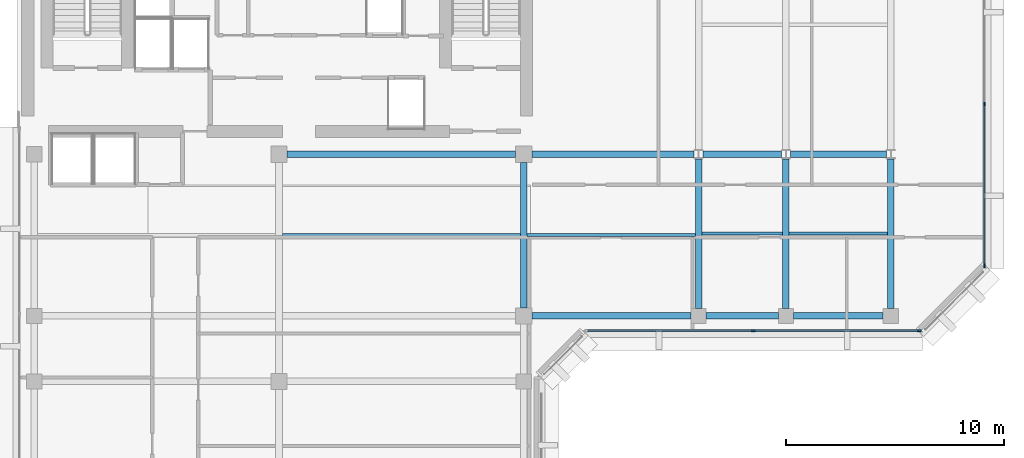
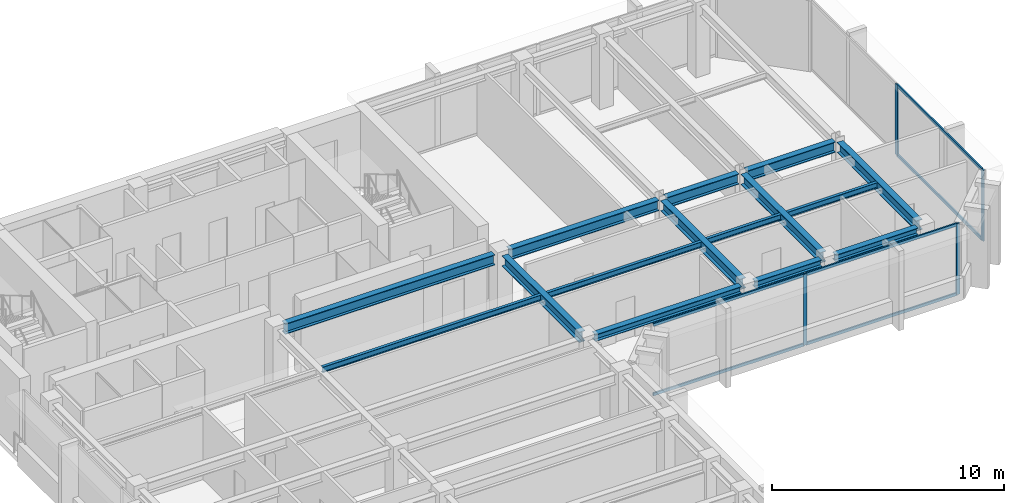
# One storey, part 3 of 12: 15 beams, 10 members, 2 elements without a shape of their own.
"""IFC4 building model written with IfcOpenShell, lengths in metres."""

from ifc_helpers import new_model, si_unit, direction, frame, origin, origin_2d, place, context, subcontext, project, spatial, rectangle, i_section, extrude, material, layer, layer_set, material_profile, profile_set, type_object, element, aggregate, save


model = new_model("IFC4")

# Units and contexts
model_context = context("Model", 3, precision=1e-05, world=origin(), true_north=direction((0.0, 1.0)))
body_context = subcontext(model_context, "Body", "Model", "MODEL_VIEW")
ifc_project = project(units=[si_unit("LENGTHUNIT", "METRE"), si_unit("AREAUNIT", "SQUARE_METRE"), si_unit("VOLUMEUNIT", "CUBIC_METRE"), si_unit("PLANEANGLEUNIT", "RADIAN"), si_unit("MASSUNIT", "GRAM", prefix="KILO")], contexts=[model_context])

# Site, building, storey
site_placement = place(None, origin())
site = spatial("IfcSite", under=ifc_project, at=site_placement, CompositionType="ELEMENT")
building_placement = place(site_placement, origin())
building = spatial("IfcBuilding", under=site, at=building_placement, Name="Kefirva Bronze Tower", CompositionType="ELEMENT")
storey_placement = place(building_placement, frame((0.0, 0.0, 296.010009765625)))
storey = spatial("IfcBuildingStorey", under=building, at=storey_placement, Name="L72", CompositionType="ELEMENT", Elevation=296.010009765625)

# Curtain wall, members
ifc_material_1 = material(Name="Bronze anodised aluminium", Category="aluminium")
ifc_layer = layer(ifc_material_1, 0.179931640625, Name="Bronze anodised aluminium")
ifc_layer_set = layer_set([ifc_layer], Name="Bronze anodised aluminium")
curtain_wall_type = type_object("IfcCurtainWallType", Name="Unitised Bronze Ribbon Curtain Wall Zone 4", PredefinedType="USERDEFINED", material=ifc_layer_set)
curtain_wall_1_placement = place(storey_placement, origin())
curtain_wall_1 = element("IfcCurtainWall", 1, at=curtain_wall_1_placement, inside=storey, type_object=curtain_wall_type, Name="L72 Curtain Wall 1", ObjectType="UNITISED CURTAIN WALL", PredefinedType="USERDEFINED")
ifc_material_profile_1 = material_profile(ifc_material_1, rectangle(XDim=0.074951171875, YDim=0.179931640625, at=origin_2d()), Name="ALU 75x180")
ifc_profile_set_1 = profile_set([ifc_material_profile_1], Name="Bronze anodised aluminium")
member_type_1 = type_object("IfcMemberType", Name="Bronze Mullion 75x180", PredefinedType="MULLION", material=ifc_profile_set_1)
member_1_placement = place(storey_placement, frame((33.699951171875, 25.1201171875, 0.0), z_axis=(0.0, 0.0, 1.0), x_axis=(0.0, 1.0, 0.0)))
member_1 = element("IfcMember", 2, at=member_1_placement, type_object=member_type_1, Name="CW-04 mullion 2", PredefinedType="MULLION", context=body_context, shape_type="SweptSolid", body=[
    extrude(rectangle(XDim=0.074951171875, YDim=0.179931640625, at=origin_2d()), origin(), (0.0, 0.0, 1.0), 3.739990234375),
])
member_2_placement = place(storey_placement, frame((41.3076171875, 25.1201171875, 0.0), z_axis=(0.0, 0.0, 1.0), x_axis=(0.0, 1.0, 0.0)))
member_2 = element("IfcMember", 3, at=member_2_placement, type_object=member_type_1, Name="CW-04 mullion 3", PredefinedType="MULLION", context=body_context, shape_type="SweptSolid", body=[
    extrude(rectangle(XDim=0.074951171875, YDim=0.179931640625, at=origin_2d()), origin(), (0.0, 0.0, 1.0), 3.739990234375),
])

curtain_wall_2_placement = place(storey_placement, origin())
curtain_wall_2 = element("IfcCurtainWall", 4, at=curtain_wall_2_placement, inside=storey, type_object=curtain_wall_type, Name="L72 Curtain Wall 2", ObjectType="UNITISED CURTAIN WALL", PredefinedType="USERDEFINED")
member_3_placement = place(storey_placement, frame((44.280029296875, 28.092529296875, 0.0), z_axis=(0.0, 0.0, 1.0), x_axis=(-1.0, 0.0, 0.0)))
member_3 = element("IfcMember", 5, at=member_3_placement, type_object=member_type_1, Name="CW-04 mullion 1", PredefinedType="MULLION", context=body_context, shape_type="SweptSolid", body=[
    extrude(rectangle(XDim=0.074951171875, YDim=0.179931640625, at=origin_2d()), origin(), (0.0, 0.0, 1.0), 3.739990234375),
])
member_4_placement = place(storey_placement, frame((44.280029296875, 35.5, 0.0), z_axis=(0.0, 0.0, 1.0), x_axis=(-1.0, 0.0, 0.0)))
member_4 = element("IfcMember", 6, at=member_4_placement, type_object=member_type_1, Name="CW-04 mullion 2", PredefinedType="MULLION", context=body_context, shape_type="SweptSolid", body=[
    extrude(rectangle(XDim=0.074951171875, YDim=0.179931640625, at=origin_2d()), origin(), (0.0, 0.0, 1.0), 3.739990234375),
])

# Member
ifc_material_profile_2 = material_profile(ifc_material_1, rectangle(XDim=0.074951171875, YDim=0.14990234375, at=origin_2d()), Name="ALU 75x150")
ifc_profile_set_2 = profile_set([ifc_material_profile_2], Name="Bronze anodised aluminium")
member_type_2 = type_object("IfcMemberType", Name="Bronze Transom 75x150", PredefinedType="USERDEFINED", material=ifc_profile_set_2)
member_5_placement = place(storey_placement, frame((26.1298828125, 25.1201171875, 0.03759765625), z_axis=(1.0, 0.0, 0.0), x_axis=(0.0, 1.0, 0.0)))
member_5 = element("IfcMember", 7, at=member_5_placement, type_object=member_type_2, Name="CW-04 transom 1.1", ObjectType="TRANSOM", PredefinedType="USERDEFINED", context=body_context, shape_type="SweptSolid", body=[
    extrude(rectangle(XDim=0.074951171875, YDim=0.14990234375, at=origin_2d()), origin(), (0.0, 0.0, 1.0), 7.53271484375),
])

member_6_placement = place(storey_placement, frame((26.1298828125, 25.1201171875, 3.702392578125), z_axis=(1.0, 0.0, 0.0), x_axis=(0.0, 1.0, 0.0)))
member_6 = element("IfcMember", 8, at=member_6_placement, type_object=member_type_2, Name="CW-04 transom 1.2", ObjectType="TRANSOM", PredefinedType="USERDEFINED", context=body_context, shape_type="SweptSolid", body=[
    extrude(rectangle(XDim=0.074951171875, YDim=0.14990234375, at=origin_2d()), origin(), (0.0, 0.0, 1.0), 7.53271484375),
])

member_7_placement = place(storey_placement, frame((33.737548828125, 25.1201171875, 0.03759765625), z_axis=(1.0, 0.0, 0.0), x_axis=(0.0, 1.0, 0.0)))
member_7 = element("IfcMember", 9, at=member_7_placement, type_object=member_type_2, Name="CW-04 transom 2.1", ObjectType="TRANSOM", PredefinedType="USERDEFINED", context=body_context, shape_type="SweptSolid", body=[
    extrude(rectangle(XDim=0.074951171875, YDim=0.14990234375, at=origin_2d()), origin(), (0.0, 0.0, 1.0), 7.532470703125),
])

member_8_placement = place(storey_placement, frame((33.737548828125, 25.1201171875, 3.702392578125), z_axis=(1.0, 0.0, 0.0), x_axis=(0.0, 1.0, 0.0)))
member_8 = element("IfcMember", 10, at=member_8_placement, type_object=member_type_2, Name="CW-04 transom 2.2", ObjectType="TRANSOM", PredefinedType="USERDEFINED", context=body_context, shape_type="SweptSolid", body=[
    extrude(rectangle(XDim=0.074951171875, YDim=0.14990234375, at=origin_2d()), origin(), (0.0, 0.0, 1.0), 7.532470703125),
])

aggregate(curtain_wall_1, [member_1, member_2, member_5, member_6, member_7, member_8])

member_9_placement = place(storey_placement, frame((44.280029296875, 28.1298828125, 0.03759765625), z_axis=(0.0, 1.0, 0.0), x_axis=(-1.0, 0.0, 0.0)))
member_9 = element("IfcMember", 11, at=member_9_placement, type_object=member_type_2, Name="CW-04 transom 1.1", ObjectType="TRANSOM", PredefinedType="USERDEFINED", context=body_context, shape_type="SweptSolid", body=[
    extrude(rectangle(XDim=0.074951171875, YDim=0.14990234375, at=origin_2d()), origin(), (0.0, 0.0, 1.0), 7.33251953125),
])

member_10_placement = place(storey_placement, frame((44.280029296875, 28.1298828125, 3.702392578125), z_axis=(0.0, 1.0, 0.0), x_axis=(-1.0, 0.0, 0.0)))
member_10 = element("IfcMember", 12, at=member_10_placement, type_object=member_type_2, Name="CW-04 transom 1.2", ObjectType="TRANSOM", PredefinedType="USERDEFINED", context=body_context, shape_type="SweptSolid", body=[
    extrude(rectangle(XDim=0.074951171875, YDim=0.14990234375, at=origin_2d()), origin(), (0.0, 0.0, 1.0), 7.33251953125),
])

aggregate(curtain_wall_2, [member_3, member_4, member_9, member_10])

# Beams
ifc_material_2 = material(Name="Steel S355", Category="steel")
ifc_material_profile_3 = material_profile(ifc_material_2, i_section(OverallWidth=0.14990234375, OverallDepth=0.300048828125, WebThickness=0.007080078125, FlangeThickness=0.0107421875, at=origin_2d()), Name="IPE 300")
ifc_profile_set_3 = profile_set([ifc_material_profile_3], Name="Steel S355")
beam_type_1 = type_object("IfcBeamType", Name="Steel Floor Joist IPE 300", PredefinedType="JOIST", material=ifc_profile_set_3)
beam_1_placement = place(storey_placement, frame((12.14990234375, 29.5, 3.590087890625), z_axis=(1.0, 0.0, 0.0), x_axis=(0.0, 1.0, 0.0)))
element("IfcBeam", 13, at=beam_1_placement, inside=storey, type_object=beam_type_1, Name="L72 JST-L72-12-295", PredefinedType="JOIST", context=body_context, shape_type="SweptSolid", body=[
    extrude(i_section(OverallWidth=0.14990234375, OverallDepth=0.300048828125, WebThickness=0.007080078125, FlangeThickness=0.0107421875, at=origin_2d()), origin(), (0.0, 0.0, 1.0), 10.900146484375),
])
beam_2_placement = place(storey_placement, frame((23.35009765625, 29.5, 3.590087890625), z_axis=(1.0, 0.0, 0.0), x_axis=(0.0, 1.0, 0.0)))
element("IfcBeam", 14, at=beam_2_placement, inside=storey, type_object=beam_type_1, Name="L72 JST-L72-23-295", PredefinedType="JOIST", context=body_context, shape_type="SweptSolid", body=[
    extrude(i_section(OverallWidth=0.14990234375, OverallDepth=0.300048828125, WebThickness=0.007080078125, FlangeThickness=0.0107421875, at=origin_2d()), origin(), (0.0, 0.0, 1.0), 7.699951171875),
])
beam_3_placement = place(storey_placement, frame((31.35009765625, 29.571044921875, 3.590087890625), z_axis=(1.0, 0.0, 0.0), x_axis=(0.0, 1.0, 0.0)))
element("IfcBeam", 15, at=beam_3_placement, inside=storey, type_object=beam_type_1, Name="L72 JST-L72-31-295", PredefinedType="JOIST", context=body_context, shape_type="SweptSolid", body=[
    extrude(i_section(OverallWidth=0.14990234375, OverallDepth=0.300048828125, WebThickness=0.007080078125, FlangeThickness=0.0107421875, at=origin_2d()), origin(), (0.0, 0.0, 1.0), 3.699951171875),
])
beam_4_placement = place(storey_placement, frame((35.35009765625, 29.571044921875, 3.590087890625), z_axis=(1.0, 0.0, 0.0), x_axis=(0.0, 1.0, 0.0)))
element("IfcBeam", 16, at=beam_4_placement, inside=storey, type_object=beam_type_1, Name="L72 JST-L72-35-295", PredefinedType="JOIST", context=body_context, shape_type="SweptSolid", body=[
    extrude(i_section(OverallWidth=0.14990234375, OverallDepth=0.300048828125, WebThickness=0.007080078125, FlangeThickness=0.0107421875, at=origin_2d()), origin(), (0.0, 0.0, 1.0), 4.5),
])
ifc_material_profile_4 = material_profile(ifc_material_2, i_section(OverallWidth=0.300048828125, OverallDepth=0.550048828125, WebThickness=0.014892578125, FlangeThickness=0.029052734375, at=origin_2d()), Name="HEB 550")
ifc_profile_set_4 = profile_set([ifc_material_profile_4], Name="Steel S355")
beam_type_2 = type_object("IfcBeamType", Name="Steel Girder HEB 550", PredefinedType="USERDEFINED", material=ifc_profile_set_4)
beam_5_placement = place(storey_placement, frame((12.3701171875, 33.199951171875, 3.465087890625), z_axis=(1.0, 0.0, 0.0), x_axis=(0.0, 1.0, 0.0)))
element("IfcBeam", 17, at=beam_5_placement, inside=storey, type_object=beam_type_2, Name="L72 BM-L72-EW-12-332", ObjectType="GIRDER", PredefinedType="USERDEFINED", context=body_context, shape_type="SweptSolid", body=[
    extrude(i_section(OverallWidth=0.300048828125, OverallDepth=0.550048828125, WebThickness=0.014892578125, FlangeThickness=0.029052734375, at=origin_2d()), origin(), (0.0, 0.0, 1.0), 10.4599609375),
])
beam_6_placement = place(storey_placement, frame((23.570068359375, 33.199951171875, 3.465087890625), z_axis=(1.0, 0.0, 0.0), x_axis=(0.0, 1.0, 0.0)))
element("IfcBeam", 18, at=beam_6_placement, inside=storey, type_object=beam_type_2, Name="L72 BM-L72-EW-23-332", ObjectType="GIRDER", PredefinedType="USERDEFINED", context=body_context, shape_type="SweptSolid", body=[
    extrude(i_section(OverallWidth=0.300048828125, OverallDepth=0.550048828125, WebThickness=0.014892578125, FlangeThickness=0.029052734375, at=origin_2d()), origin(), (0.0, 0.0, 1.0), 7.427001953125),
])
beam_7_placement = place(storey_placement, frame((31.403076171875, 33.199951171875, 3.465087890625), z_axis=(1.0, 0.0, 0.0), x_axis=(0.0, 1.0, 0.0)))
element("IfcBeam", 19, at=beam_7_placement, inside=storey, type_object=beam_type_2, Name="L72 BM-L72-EW-31-332", ObjectType="GIRDER", PredefinedType="USERDEFINED", context=body_context, shape_type="SweptSolid", body=[
    extrude(i_section(OverallWidth=0.300048828125, OverallDepth=0.550048828125, WebThickness=0.014892578125, FlangeThickness=0.029052734375, at=origin_2d()), origin(), (0.0, 0.0, 1.0), 3.593994140625),
])
beam_8_placement = place(storey_placement, frame((35.403076171875, 33.199951171875, 3.465087890625), z_axis=(1.0, 0.0, 0.0), x_axis=(0.0, 1.0, 0.0)))
element("IfcBeam", 20, at=beam_8_placement, inside=storey, type_object=beam_type_2, Name="L72 BM-L72-EW-35-332", ObjectType="GIRDER", PredefinedType="USERDEFINED", context=body_context, shape_type="SweptSolid", body=[
    extrude(i_section(OverallWidth=0.300048828125, OverallDepth=0.550048828125, WebThickness=0.014892578125, FlangeThickness=0.029052734375, at=origin_2d()), origin(), (0.0, 0.0, 1.0), 4.39404296875),
])
beam_9_placement = place(storey_placement, frame((23.199951171875, 26.169921875, 3.465087890625), z_axis=(0.0, 1.0, 0.0), x_axis=(-1.0, 0.0, 0.0)))
element("IfcBeam", 21, at=beam_9_placement, inside=storey, type_object=beam_type_2, Name="L72 BM-L72-NS-232-25", ObjectType="GIRDER", PredefinedType="USERDEFINED", context=body_context, shape_type="SweptSolid", body=[
    extrude(i_section(OverallWidth=0.300048828125, OverallDepth=0.550048828125, WebThickness=0.014892578125, FlangeThickness=0.029052734375, at=origin_2d()), origin(), (0.0, 0.0, 1.0), 6.66015625),
])
for number, where, z_axis, x_axis, name in (
    (22, (31.199951171875, 26.14990234375, 3.465087890625), (0.0, 1.0, 0.0), (-1.0, 0.0, 0.0), "L72 BM-L72-NS-312-25"),
    (23, (35.199951171875, 26.14990234375, 3.465087890625), (0.0, 1.0, 0.0), (-1.0, 0.0, 0.0), "L72 BM-L72-NS-352-25"),
    (24, (40.0, 26.14990234375, 3.465087890625), (0.0, 1.0, 0.0), (-1.0, 0.0, 0.0), "L72 BM-L72-NS-400-25"),
):
    element("IfcBeam", number, at=place(storey_placement, frame(where, z_axis=z_axis, x_axis=x_axis)), inside=storey, type_object=beam_type_2, Name=name, ObjectType="GIRDER", PredefinedType="USERDEFINED", context=body_context, shape_type="SweptSolid", body=[
        extrude(i_section(OverallWidth=0.300048828125, OverallDepth=0.550048828125, WebThickness=0.014892578125, FlangeThickness=0.029052734375, at=origin_2d()), origin(), (0.0, 0.0, 1.0), 6.842041015625),
    ])
ifc_material_profile_5 = material_profile(ifc_material_2, i_section(OverallWidth=0.300048828125, OverallDepth=0.360107421875, WebThickness=0.012451171875, FlangeThickness=0.0224609375, at=origin_2d()), Name="HEB 360")
ifc_profile_set_5 = profile_set([ifc_material_profile_5], Name="Steel S355")
beam_type_3 = type_object("IfcBeamType", Name="Steel Spandrel HEB 360 Ext", PredefinedType="SPANDREL", material=ifc_profile_set_5)
beam_10_placement = place(storey_placement, frame((23.570068359375, 25.800048828125, 3.56005859375), z_axis=(1.0, 0.0, 0.0), x_axis=(0.0, 1.0, 0.0)))
element("IfcBeam", 25, at=beam_10_placement, inside=storey, type_object=beam_type_3, Name="L72 BM-L72-EW-23-258", PredefinedType="SPANDREL", context=body_context, shape_type="SweptSolid", body=[
    extrude(i_section(OverallWidth=0.300048828125, OverallDepth=0.360107421875, WebThickness=0.012451171875, FlangeThickness=0.0224609375, at=origin_2d()), origin(), (0.0, 0.0, 1.0), 7.280029296875),
])
beam_11_placement = place(storey_placement, frame((31.550048828125, 25.800048828125, 3.56005859375), z_axis=(1.0, 0.0, 0.0), x_axis=(0.0, 1.0, 0.0)))
element("IfcBeam", 26, at=beam_11_placement, inside=storey, type_object=beam_type_3, Name="L72 BM-L72-EW-31-258", PredefinedType="SPANDREL", context=body_context, shape_type="SweptSolid", body=[
    extrude(i_section(OverallWidth=0.300048828125, OverallDepth=0.360107421875, WebThickness=0.012451171875, FlangeThickness=0.0224609375, at=origin_2d()), origin(), (0.0, 0.0, 1.0), 3.300048828125),
])
beam_12_placement = place(storey_placement, frame((35.550048828125, 25.800048828125, 3.56005859375), z_axis=(1.0, 0.0, 0.0), x_axis=(0.0, 1.0, 0.0)))
element("IfcBeam", 27, at=beam_12_placement, inside=storey, type_object=beam_type_3, Name="L72 BM-L72-EW-35-258", PredefinedType="SPANDREL", context=body_context, shape_type="SweptSolid", body=[
    extrude(i_section(OverallWidth=0.300048828125, OverallDepth=0.360107421875, WebThickness=0.012451171875, FlangeThickness=0.0224609375, at=origin_2d()), origin(), (0.0, 0.0, 1.0), 4.099853515625),
])

save(model, "model.ifc")
